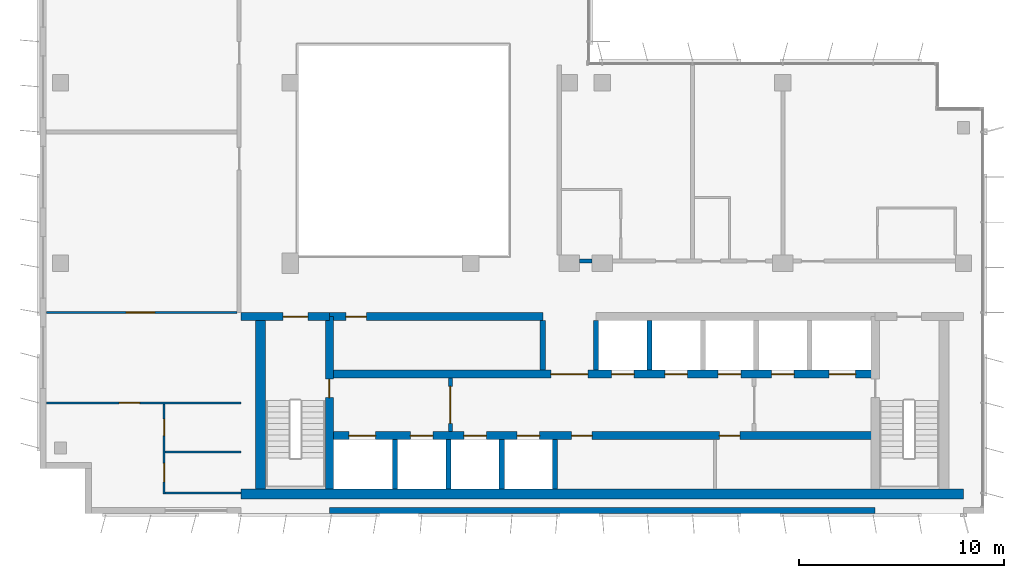
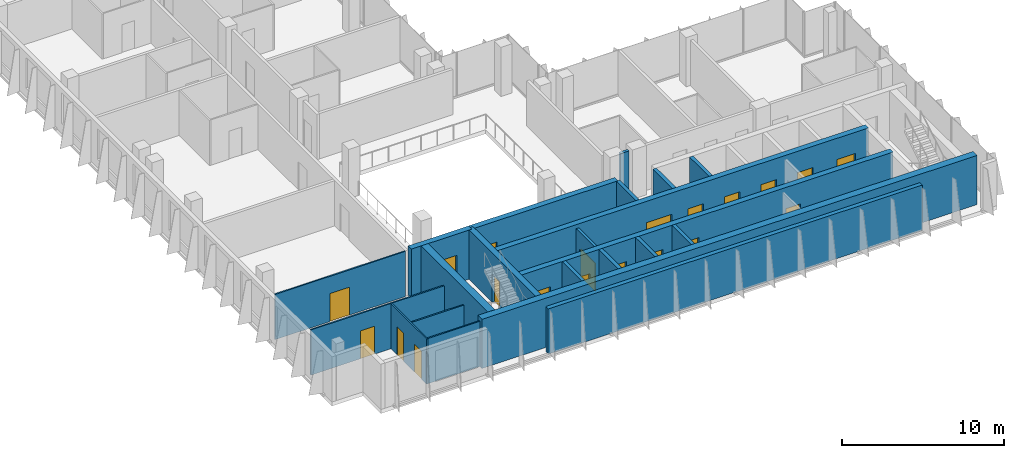
# One storey, part 9 of 15: 22 walls, 20 doors, 20 openings.
"""IFC4 building model written with IfcOpenShell, lengths in metres."""

from ifc_helpers import new_model, si_unit, direction, frame, frame_2d, origin, place, context, subcontext, project, spatial, rectangle, extrude, material, layer, layer_set, type_object, element, fill, save


model = new_model("IFC4")

# Units and contexts
model_context = context("Model", 3, precision=1e-05, world=origin(), true_north=direction((0.0, 1.0)))
body_context = subcontext(model_context, "Body", "Model", "MODEL_VIEW")
ifc_project = project(units=[si_unit("LENGTHUNIT", "METRE"), si_unit("AREAUNIT", "SQUARE_METRE"), si_unit("VOLUMEUNIT", "CUBIC_METRE"), si_unit("PLANEANGLEUNIT", "RADIAN"), si_unit("MASSUNIT", "GRAM", prefix="KILO")], contexts=[model_context])

# Site, building, storey
site_placement = place(None, origin())
site = spatial("IfcSite", under=ifc_project, at=site_placement, CompositionType="ELEMENT")
building_placement = place(site_placement, origin())
building = spatial("IfcBuilding", under=site, at=building_placement, Name="Kemantara Hotel Tower", CompositionType="ELEMENT")
storey_placement = place(building_placement, frame((0.0, 0.0, 261.10009765625)))
storey = spatial("IfcBuildingStorey", under=building, at=storey_placement, Name="L65", CompositionType="ELEMENT", Elevation=261.10009765625)

# Walls
ifc_material_1 = material(Name="Bronze anodised aluminium cladding on insulated steel stud wall", Category="steel")
ifc_layer_1 = layer(ifc_material_1, 0.300048828125)
ifc_layer_set_1 = layer_set([ifc_layer_1], Name="Bronze anodised aluminium cladding on insulated steel stud wall")
wall_type_1 = type_object("IfcWallType", Name="BRONZE METAL-CLAD EXTERNAL WALL 300", PredefinedType="STANDARD", material=ifc_layer_set_1)
wall_1_placement = place(storey_placement, frame((14.10009765625, 0.14990234375, 0.0), z_axis=(0.0, 0.0, 1.0), x_axis=(1.0, 0.0, 0.0)))
element("IfcWall", 1, at=wall_1_placement, inside=storey, type_object=wall_type_1, Name="EXTERNAL WALL L65 T4-R08-2", PredefinedType="STANDARD", context=body_context, shape_type="SweptSolid", body=[
    extrude(rectangle(XDim=26.599853515625, YDim=0.300048828125, at=frame_2d((13.2998046875, 0.0))), origin(), (0.0, 0.0, 1.0), 3.39990234375),
])
ifc_material_2 = material(Name="Concrete fc 50 MPa", Category="concrete")
ifc_layer_2 = layer(ifc_material_2, 0.25)
ifc_layer_set_2 = layer_set([ifc_layer_2], Name="Concrete fc 50 MPa")
wall_type_2 = type_object("IfcWallType", Name="CORE WALL 250 FC50", PredefinedType="SHEAR", material=ifc_layer_set_2)
for number, where, z_axis, x_axis, name in (
    (2, (17.300048828125, 1.199951171875, 0.0), (0.0, 0.0, 1.0), (0.0, 1.0, 0.0), "CORE WALL CW-DS17.3"),
    (3, (19.89990234375, 1.199951171875, 0.0), (0.0, 0.0, 1.0), (0.0, 1.0, 0.0), "CORE WALL CW-DS19.9"),
    (4, (22.5, 1.199951171875, 0.0), (0.0, 0.0, 1.0), (0.0, 1.0, 0.0), "CORE WALL CW-DS22.5"),
    (5, (25.10009765625, 1.199951171875, 0.0), (0.0, 0.0, 1.0), (0.0, 1.0, 0.0), "CORE WALL CW-DS25.1"),
):
    element("IfcWall", number, at=place(storey_placement, frame(where, z_axis=z_axis, x_axis=x_axis)), inside=storey, type_object=wall_type_2, Name=name, PredefinedType="SHEAR", context=body_context, shape_type="SweptSolid", body=[
        extrude(rectangle(XDim=2.400146484375, YDim=0.25, at=frame_2d((1.2001953125, 0.0))), origin(), (0.0, 0.0, 1.0), 3.699951171875),
    ])
for number, where, z_axis, x_axis, name in (
    (6, (24.5, 7.0, 0.0), (0.0, 0.0, 1.0), (0.0, 1.0, 0.0), "CORE WALL CW-DN24.5"),
    (7, (27.10009765625, 7.0, 0.0), (0.0, 0.0, 1.0), (0.0, 1.0, 0.0), "CORE WALL CW-DN27.1"),
    (8, (29.699951171875, 7.0, 0.0), (0.0, 0.0, 1.0), (0.0, 1.0, 0.0), "CORE WALL CW-DN29.7"),
):
    element("IfcWall", number, at=place(storey_placement, frame(where, z_axis=z_axis, x_axis=x_axis)), inside=storey, type_object=wall_type_2, Name=name, PredefinedType="SHEAR", context=body_context, shape_type="SweptSolid", body=[
        extrude(rectangle(XDim=2.39990234375, YDim=0.25, at=frame_2d((1.199951171875, 0.0))), origin(), (0.0, 0.0, 1.0), 3.699951171875),
    ])

# Wall, opening, door
ifc_layer_3 = layer(ifc_material_2, 0.39990234375)
ifc_layer_set_3 = layer_set([ifc_layer_3], Name="Concrete fc 50 MPa")
wall_type_3 = type_object("IfcWallType", Name="CORE WALL 400 FC50", PredefinedType="SHEAR", material=ifc_layer_set_3)
wall_2_placement = place(storey_placement, frame((9.800048828125, 9.60009765625, 0.0), z_axis=(0.0, 0.0, 1.0), x_axis=(1.0, 0.0, 0.0)))
wall_2 = element("IfcWall", 9, at=wall_2_placement, inside=storey, type_object=wall_type_3, Name="CORE WALL CW-N1", PredefinedType="SHEAR", context=body_context, shape_type="SweptSolid", body=[
    extrude(rectangle(XDim=4.300048828125, YDim=0.39990234375, at=frame_2d((2.14990234375, 0.0))), origin(), (0.0, 0.0, 1.0), 3.699951171875),
])
opening_1_placement = place(wall_2_placement, frame((2.050048828125, 0.0, 0.0)))
opening_1 = element("IfcOpeningElement", 10, at=opening_1_placement, cuts=wall_2, Name="Opening C39-ST1-C", PredefinedType="OPENING", context=body_context, shape_type="SweptSolid", body=[
    extrude(rectangle(XDim=1.199951171875, YDim=2.10009765625, at=frame_2d((0.60009765625, 1.050048828125))), frame((0.0, 0.2099609375, 0.0), z_axis=(0.0, -1.0, 0.0), x_axis=(1.0, 0.0, 0.0)), (0.0, 0.0, 1.0), 0.419921875),
])
ifc_material_3 = material(Name="Steel fire door", Category="steel")
door_type_1 = type_object("IfcDoorType", Name="Fire door FD90 1200 x 2100", OperationType="NOTDEFINED", PredefinedType="DOOR", material=ifc_material_3)
door_1_placement = place(opening_1_placement, frame((1.199951171875, 0.0, 0.0), z_axis=(0.0, 0.0, 1.0), x_axis=(-1.0, 0.0, 0.0)))
door_1 = element("IfcDoor", 11, at=door_1_placement, inside=storey, type_object=door_type_1, Name="Stair ST1 door to corridor", OperationType="SINGLE_SWING_LEFT", OverallHeight=2.10009765625, OverallWidth=1.199951171875, PredefinedType="DOOR", context=body_context, shape_type="SweptSolid", body=[
    extrude(rectangle(XDim=1.199951171875, YDim=2.10009765625, at=frame_2d((0.60009765625, 1.050048828125))), frame((0.0, 0.02490234375, 0.0), z_axis=(0.0, -1.0, 0.0), x_axis=(1.0, 0.0, 0.0)), (0.0, 0.0, 1.0), 0.050048828125),
])
fill(opening_1, door_1)

wall_3_placement = place(storey_placement, frame((14.10009765625, 9.60009765625, 0.0), z_axis=(0.0, 0.0, 1.0), x_axis=(1.0, 0.0, 0.0)))
wall_3 = element("IfcWall", 12, at=wall_3_placement, inside=storey, type_object=wall_type_3, Name="CORE WALL CW-NN1", PredefinedType="SHEAR", context=body_context, shape_type="SweptSolid", body=[
    extrude(rectangle(XDim=10.39990234375, YDim=0.39990234375, at=frame_2d((5.199951171875, 0.0))), origin(), (0.0, 0.0, 1.0), 3.699951171875),
])
opening_2_placement = place(wall_3_placement, frame((0.800048828125, 0.0, 0.0)))
opening_2 = element("IfcOpeningElement", 13, at=opening_2_placement, cuts=wall_3, Name="Opening C39-R-NW1", PredefinedType="OPENING", context=body_context, shape_type="SweptSolid", body=[
    extrude(rectangle(XDim=1.0, YDim=2.10009765625, at=frame_2d((0.5, 1.050048828125))), frame((0.0, 0.2099609375, 0.0), z_axis=(0.0, -1.0, 0.0), x_axis=(1.0, 0.0, 0.0)), (0.0, 0.0, 1.0), 0.419921875),
])
door_type_2 = type_object("IfcDoorType", Name="Fire door FD30S 1000 x 2100", OperationType="NOTDEFINED", PredefinedType="DOOR", material=ifc_material_3)
door_2_placement = place(opening_2_placement, frame((1.0, 0.0, 0.0), z_axis=(0.0, 0.0, 1.0), x_axis=(-1.0, 0.0, 0.0)))
door_2 = element("IfcDoor", 14, at=door_2_placement, inside=storey, type_object=door_type_2, Name="Housekeeping Store door", OperationType="SINGLE_SWING_RIGHT", OverallHeight=2.10009765625, OverallWidth=1.0, PredefinedType="DOOR", context=body_context, shape_type="SweptSolid", body=[
    extrude(rectangle(XDim=1.0, YDim=2.10009765625, at=frame_2d((0.5, 1.050048828125))), frame((0.0, 0.02490234375, 0.0), z_axis=(0.0, -1.0, 0.0), x_axis=(1.0, 0.0, 0.0)), (0.0, 0.0, 1.0), 0.050048828125),
])
fill(opening_2, door_2)

# Wall, openings, doors
wall_4_placement = place(storey_placement, frame((14.10009765625, 3.800048828125, 0.0), z_axis=(0.0, 0.0, 1.0), x_axis=(1.0, 0.0, 0.0)))
wall_4 = element("IfcWall", 15, at=wall_4_placement, inside=storey, type_object=wall_type_3, Name="CORE WALL CW-L1", PredefinedType="SHEAR", context=body_context, shape_type="SweptSolid", body=[
    extrude(rectangle(XDim=26.599853515625, YDim=0.39990234375, at=frame_2d((13.2998046875, 0.0))), origin(), (0.0, 0.0, 1.0), 3.699951171875),
])
opening_3_placement = place(wall_4_placement, frame((0.949951171875, 0.0, 0.0)))
opening_3 = element("IfcOpeningElement", 16, at=opening_3_placement, cuts=wall_4, Name="Opening C39-LD-FF1", PredefinedType="OPENING", context=body_context, shape_type="SweptSolid", body=[
    extrude(rectangle(XDim=1.300048828125, YDim=2.10009765625, at=frame_2d((0.64990234375, 1.050048828125))), frame((0.0, 0.2099609375, 0.0), z_axis=(0.0, -1.0, 0.0), x_axis=(1.0, 0.0, 0.0)), (0.0, 0.0, 1.0), 0.419921875),
])
opening_4_placement = place(wall_4_placement, frame((3.949951171875, 0.0, 0.0)))
opening_4 = element("IfcOpeningElement", 17, at=opening_4_placement, cuts=wall_4, Name="Opening C39-LD-SV1", PredefinedType="OPENING", context=body_context, shape_type="SweptSolid", body=[
    extrude(rectangle(XDim=1.10009765625, YDim=2.10009765625, at=frame_2d((0.550048828125, 1.050048828125))), frame((0.0, 0.2099609375, 0.0), z_axis=(0.0, -1.0, 0.0), x_axis=(1.0, 0.0, 0.0)), (0.0, 0.0, 1.0), 0.419921875),
])
opening_5_placement = place(wall_4_placement, frame((6.550048828125, 0.0, 0.0)))
opening_5 = element("IfcOpeningElement", 18, at=opening_5_placement, cuts=wall_4, Name="Opening C39-LD-SV2", PredefinedType="OPENING", context=body_context, shape_type="SweptSolid", body=[
    extrude(rectangle(XDim=1.10009765625, YDim=2.10009765625, at=frame_2d((0.550048828125, 1.050048828125))), frame((0.0, 0.2099609375, 0.0), z_axis=(0.0, -1.0, 0.0), x_axis=(1.0, 0.0, 0.0)), (0.0, 0.0, 1.0), 0.419921875),
])
opening_6_placement = place(wall_4_placement, frame((9.14990234375, 0.0, 0.0)))
opening_6 = element("IfcOpeningElement", 19, at=opening_6_placement, cuts=wall_4, Name="Opening C39-LD-SV3", PredefinedType="OPENING", context=body_context, shape_type="SweptSolid", body=[
    extrude(rectangle(XDim=1.10009765625, YDim=2.10009765625, at=frame_2d((0.550048828125, 1.050048828125))), frame((0.0, 0.2099609375, 0.0), z_axis=(0.0, -1.0, 0.0), x_axis=(1.0, 0.0, 0.0)), (0.0, 0.0, 1.0), 0.419921875),
])
opening_7_placement = place(wall_4_placement, frame((11.800048828125, 0.0, 0.0)))
opening_7 = element("IfcOpeningElement", 20, at=opening_7_placement, cuts=wall_4, Name="Opening C39-R-SM1", PredefinedType="OPENING", context=body_context, shape_type="SweptSolid", body=[
    extrude(rectangle(XDim=1.0, YDim=2.10009765625, at=frame_2d((0.5, 1.050048828125))), frame((0.0, 0.2099609375, 0.0), z_axis=(0.0, -1.0, 0.0), x_axis=(1.0, 0.0, 0.0)), (0.0, 0.0, 1.0), 0.419921875),
])
opening_8_placement = place(wall_4_placement, frame((19.0, 0.0, 0.0)))
opening_8 = element("IfcOpeningElement", 21, at=opening_8_placement, cuts=wall_4, Name="Opening C39-R-SM2", PredefinedType="OPENING", context=body_context, shape_type="SweptSolid", body=[
    extrude(rectangle(XDim=1.0, YDim=2.10009765625, at=frame_2d((0.5, 1.050048828125))), frame((0.0, 0.2099609375, 0.0), z_axis=(0.0, -1.0, 0.0), x_axis=(1.0, 0.0, 0.0)), (0.0, 0.0, 1.0), 0.419921875),
])
door_3_placement = place(opening_7_placement, frame((1.0, 0.0, 0.0), z_axis=(0.0, 0.0, 1.0), x_axis=(-1.0, 0.0, 0.0)))
door_3 = element("IfcDoor", 22, at=door_3_placement, inside=storey, type_object=door_type_2, Name="Staff Lounge door", OperationType="SINGLE_SWING_RIGHT", OverallHeight=2.10009765625, OverallWidth=1.0, PredefinedType="DOOR", context=body_context, shape_type="SweptSolid", body=[
    extrude(rectangle(XDim=1.0, YDim=2.10009765625, at=frame_2d((0.5, 1.050048828125))), frame((0.0, 0.02490234375, 0.0), z_axis=(0.0, -1.0, 0.0), x_axis=(1.0, 0.0, 0.0)), (0.0, 0.0, 1.0), 0.050048828125),
])
fill(opening_7, door_3)
door_4_placement = place(opening_8_placement, frame((1.0, 0.0, 0.0), z_axis=(0.0, 0.0, 1.0), x_axis=(-1.0, 0.0, 0.0)))
door_4 = element("IfcDoor", 23, at=door_4_placement, inside=storey, type_object=door_type_2, Name="Luggage Store door", OperationType="SINGLE_SWING_LEFT", OverallHeight=2.10009765625, OverallWidth=1.0, PredefinedType="DOOR", context=body_context, shape_type="SweptSolid", body=[
    extrude(rectangle(XDim=1.0, YDim=2.10009765625, at=frame_2d((0.5, 1.050048828125))), frame((0.0, 0.02490234375, 0.0), z_axis=(0.0, -1.0, 0.0), x_axis=(1.0, 0.0, 0.0)), (0.0, 0.0, 1.0), 0.050048828125),
])
fill(opening_8, door_4)
ifc_material_4 = material(Name="Stainless steel lift door", Category="steel")
door_type_3 = type_object("IfcDoorType", Name="Lift landing door 1100 x 2100 FD60", OperationType="DOUBLE_DOOR_SLIDING", PredefinedType="DOOR", material=ifc_material_4)
door_5_placement = place(opening_4_placement, origin())
door_5 = element("IfcDoor", 24, at=door_5_placement, inside=storey, type_object=door_type_3, Name="Lift SV1 landing door", OperationType="DOUBLE_DOOR_SLIDING", OverallHeight=2.10009765625, OverallWidth=1.10009765625, PredefinedType="DOOR", context=body_context, shape_type="SweptSolid", body=[
    extrude(rectangle(XDim=1.10009765625, YDim=2.10009765625, at=frame_2d((0.550048828125, 1.050048828125))), frame((0.0, 0.02490234375, 0.0), z_axis=(0.0, -1.0, 0.0), x_axis=(1.0, 0.0, 0.0)), (0.0, 0.0, 1.0), 0.050048828125),
])
fill(opening_4, door_5)
door_6_placement = place(opening_5_placement, origin())
door_6 = element("IfcDoor", 25, at=door_6_placement, inside=storey, type_object=door_type_3, Name="Lift SV2 landing door", OperationType="DOUBLE_DOOR_SLIDING", OverallHeight=2.10009765625, OverallWidth=1.10009765625, PredefinedType="DOOR", context=body_context, shape_type="SweptSolid", body=[
    extrude(rectangle(XDim=1.10009765625, YDim=2.10009765625, at=frame_2d((0.550048828125, 1.050048828125))), frame((0.0, 0.02490234375, 0.0), z_axis=(0.0, -1.0, 0.0), x_axis=(1.0, 0.0, 0.0)), (0.0, 0.0, 1.0), 0.050048828125),
])
fill(opening_5, door_6)
door_7_placement = place(opening_6_placement, origin())
door_7 = element("IfcDoor", 26, at=door_7_placement, inside=storey, type_object=door_type_3, Name="Lift SV3 landing door", OperationType="DOUBLE_DOOR_SLIDING", OverallHeight=2.10009765625, OverallWidth=1.10009765625, PredefinedType="DOOR", context=body_context, shape_type="SweptSolid", body=[
    extrude(rectangle(XDim=1.10009765625, YDim=2.10009765625, at=frame_2d((0.550048828125, 1.050048828125))), frame((0.0, 0.02490234375, 0.0), z_axis=(0.0, -1.0, 0.0), x_axis=(1.0, 0.0, 0.0)), (0.0, 0.0, 1.0), 0.050048828125),
])
fill(opening_6, door_7)
door_type_4 = type_object("IfcDoorType", Name="Lift landing door 1300 x 2100 FD90", OperationType="DOUBLE_DOOR_SLIDING", PredefinedType="DOOR", material=ifc_material_4)
door_8_placement = place(opening_3_placement, origin())
door_8 = element("IfcDoor", 27, at=door_8_placement, inside=storey, type_object=door_type_4, Name="Lift FF1 landing door", OperationType="DOUBLE_DOOR_SLIDING", OverallHeight=2.10009765625, OverallWidth=1.300048828125, PredefinedType="DOOR", context=body_context, shape_type="SweptSolid", body=[
    extrude(rectangle(XDim=1.300048828125, YDim=2.10009765625, at=frame_2d((0.64990234375, 1.050048828125))), frame((0.0, 0.02490234375, 0.0), z_axis=(0.0, -1.0, 0.0), x_axis=(1.0, 0.0, 0.0)), (0.0, 0.0, 1.0), 0.050048828125),
])
fill(opening_3, door_8)

wall_5_placement = place(storey_placement, frame((14.10009765625, 6.800048828125, 0.0), z_axis=(0.0, 0.0, 1.0), x_axis=(1.0, 0.0, 0.0)))
wall_5 = element("IfcWall", 28, at=wall_5_placement, inside=storey, type_object=wall_type_3, Name="CORE WALL CW-L2", PredefinedType="SHEAR", context=body_context, shape_type="SweptSolid", body=[
    extrude(rectangle(XDim=26.599853515625, YDim=0.39990234375, at=frame_2d((13.2998046875, 0.0))), origin(), (0.0, 0.0, 1.0), 3.699951171875),
])
opening_9_placement = place(wall_5_placement, frame((10.800048828125, 0.0, 0.0)))
opening_9 = element("IfcOpeningElement", 29, at=opening_9_placement, cuts=wall_5, Name="Opening C39-VL", PredefinedType="OPENING", context=body_context, shape_type="SweptSolid", body=[
    extrude(rectangle(XDim=1.800048828125, YDim=2.10009765625, at=frame_2d((0.89990234375, 1.050048828125))), frame((0.0, 0.2099609375, 0.0), z_axis=(0.0, -1.0, 0.0), x_axis=(1.0, 0.0, 0.0)), (0.0, 0.0, 1.0), 0.419921875),
])
opening_10_placement = place(wall_5_placement, frame((13.75, 0.0, 0.0)))
opening_10 = element("IfcOpeningElement", 30, at=opening_10_placement, cuts=wall_5, Name="Opening C39-LD-HR1", PredefinedType="OPENING", context=body_context, shape_type="SweptSolid", body=[
    extrude(rectangle(XDim=1.10009765625, YDim=2.10009765625, at=frame_2d((0.550048828125, 1.050048828125))), frame((0.0, 0.2099609375, 0.0), z_axis=(0.0, -1.0, 0.0), x_axis=(1.0, 0.0, 0.0)), (0.0, 0.0, 1.0), 0.419921875),
])
opening_11_placement = place(wall_5_placement, frame((16.35009765625, 0.0, 0.0)))
opening_11 = element("IfcOpeningElement", 31, at=opening_11_placement, cuts=wall_5, Name="Opening C39-LD-HR2", PredefinedType="OPENING", context=body_context, shape_type="SweptSolid", body=[
    extrude(rectangle(XDim=1.10009765625, YDim=2.10009765625, at=frame_2d((0.550048828125, 1.050048828125))), frame((0.0, 0.2099609375, 0.0), z_axis=(0.0, -1.0, 0.0), x_axis=(1.0, 0.0, 0.0)), (0.0, 0.0, 1.0), 0.419921875),
])
opening_12_placement = place(wall_5_placement, frame((18.949951171875, 0.0, 0.0)))
opening_12 = element("IfcOpeningElement", 32, at=opening_12_placement, cuts=wall_5, Name="Opening C39-LD-HR3", PredefinedType="OPENING", context=body_context, shape_type="SweptSolid", body=[
    extrude(rectangle(XDim=1.10009765625, YDim=2.10009765625, at=frame_2d((0.550048828125, 1.050048828125))), frame((0.0, 0.2099609375, 0.0), z_axis=(0.0, -1.0, 0.0), x_axis=(1.0, 0.0, 0.0)), (0.0, 0.0, 1.0), 0.419921875),
])
opening_13_placement = place(wall_5_placement, frame((21.550048828125, 0.0, 0.0)))
opening_13 = element("IfcOpeningElement", 33, at=opening_13_placement, cuts=wall_5, Name="Opening C39-LD-HR4", PredefinedType="OPENING", context=body_context, shape_type="SweptSolid", body=[
    extrude(rectangle(XDim=1.10009765625, YDim=2.10009765625, at=frame_2d((0.550048828125, 1.050048828125))), frame((0.0, 0.2099609375, 0.0), z_axis=(0.0, -1.0, 0.0), x_axis=(1.0, 0.0, 0.0)), (0.0, 0.0, 1.0), 0.419921875),
])
opening_14_placement = place(wall_5_placement, frame((24.35009765625, 0.0, 0.0)))
opening_14 = element("IfcOpeningElement", 34, at=opening_14_placement, cuts=wall_5, Name="Opening C39-LD-FF2", PredefinedType="OPENING", context=body_context, shape_type="SweptSolid", body=[
    extrude(rectangle(XDim=1.300048828125, YDim=2.10009765625, at=frame_2d((0.64990234375, 1.050048828125))), frame((0.0, 0.2099609375, 0.0), z_axis=(0.0, -1.0, 0.0), x_axis=(1.0, 0.0, 0.0)), (0.0, 0.0, 1.0), 0.419921875),
])
door_type_5 = type_object("IfcDoorType", Name="Fire door pair FD60 1800 x 2100", OperationType="DOUBLE_DOOR_SINGLE_SWING", PredefinedType="DOOR", material=ifc_material_3)
door_9_placement = place(opening_9_placement, frame((1.800048828125, 0.0, 0.0), z_axis=(0.0, 0.0, 1.0), x_axis=(-1.0, 0.0, 0.0)))
door_9 = element("IfcDoor", 35, at=door_9_placement, inside=storey, type_object=door_type_5, Name="Lift lobby entry door", OperationType="DOUBLE_DOOR_SINGLE_SWING", OverallHeight=2.10009765625, OverallWidth=1.800048828125, PredefinedType="DOOR", context=body_context, shape_type="SweptSolid", body=[
    extrude(rectangle(XDim=1.800048828125, YDim=2.10009765625, at=frame_2d((0.89990234375, 1.050048828125))), frame((0.0, 0.02490234375, 0.0), z_axis=(0.0, -1.0, 0.0), x_axis=(1.0, 0.0, 0.0)), (0.0, 0.0, 1.0), 0.050048828125),
])
fill(opening_9, door_9)
door_10_placement = place(opening_10_placement, origin())
door_10 = element("IfcDoor", 36, at=door_10_placement, inside=storey, type_object=door_type_3, Name="Lift HR1 landing door", OperationType="DOUBLE_DOOR_SLIDING", OverallHeight=2.10009765625, OverallWidth=1.10009765625, PredefinedType="DOOR", context=body_context, shape_type="SweptSolid", body=[
    extrude(rectangle(XDim=1.10009765625, YDim=2.10009765625, at=frame_2d((0.550048828125, 1.050048828125))), frame((0.0, 0.02490234375, 0.0), z_axis=(0.0, -1.0, 0.0), x_axis=(1.0, 0.0, 0.0)), (0.0, 0.0, 1.0), 0.050048828125),
])
fill(opening_10, door_10)
door_11_placement = place(opening_11_placement, origin())
door_11 = element("IfcDoor", 37, at=door_11_placement, inside=storey, type_object=door_type_3, Name="Lift HR2 landing door", OperationType="DOUBLE_DOOR_SLIDING", OverallHeight=2.10009765625, OverallWidth=1.10009765625, PredefinedType="DOOR", context=body_context, shape_type="SweptSolid", body=[
    extrude(rectangle(XDim=1.10009765625, YDim=2.10009765625, at=frame_2d((0.550048828125, 1.050048828125))), frame((0.0, 0.02490234375, 0.0), z_axis=(0.0, -1.0, 0.0), x_axis=(1.0, 0.0, 0.0)), (0.0, 0.0, 1.0), 0.050048828125),
])
fill(opening_11, door_11)
door_12_placement = place(opening_12_placement, origin())
door_12 = element("IfcDoor", 38, at=door_12_placement, inside=storey, type_object=door_type_3, Name="Lift HR3 landing door", OperationType="DOUBLE_DOOR_SLIDING", OverallHeight=2.10009765625, OverallWidth=1.10009765625, PredefinedType="DOOR", context=body_context, shape_type="SweptSolid", body=[
    extrude(rectangle(XDim=1.10009765625, YDim=2.10009765625, at=frame_2d((0.550048828125, 1.050048828125))), frame((0.0, 0.02490234375, 0.0), z_axis=(0.0, -1.0, 0.0), x_axis=(1.0, 0.0, 0.0)), (0.0, 0.0, 1.0), 0.050048828125),
])
fill(opening_12, door_12)
door_13_placement = place(opening_13_placement, origin())
door_13 = element("IfcDoor", 39, at=door_13_placement, inside=storey, type_object=door_type_3, Name="Lift HR4 landing door", OperationType="DOUBLE_DOOR_SLIDING", OverallHeight=2.10009765625, OverallWidth=1.10009765625, PredefinedType="DOOR", context=body_context, shape_type="SweptSolid", body=[
    extrude(rectangle(XDim=1.10009765625, YDim=2.10009765625, at=frame_2d((0.550048828125, 1.050048828125))), frame((0.0, 0.02490234375, 0.0), z_axis=(0.0, -1.0, 0.0), x_axis=(1.0, 0.0, 0.0)), (0.0, 0.0, 1.0), 0.050048828125),
])
fill(opening_13, door_13)
door_14_placement = place(opening_14_placement, origin())
door_14 = element("IfcDoor", 40, at=door_14_placement, inside=storey, type_object=door_type_4, Name="Lift FF2 landing door", OperationType="DOUBLE_DOOR_SLIDING", OverallHeight=2.10009765625, OverallWidth=1.300048828125, PredefinedType="DOOR", context=body_context, shape_type="SweptSolid", body=[
    extrude(rectangle(XDim=1.300048828125, YDim=2.10009765625, at=frame_2d((0.64990234375, 1.050048828125))), frame((0.0, 0.02490234375, 0.0), z_axis=(0.0, -1.0, 0.0), x_axis=(1.0, 0.0, 0.0)), (0.0, 0.0, 1.0), 0.050048828125),
])
fill(opening_14, door_14)

# Wall, opening, door
wall_6_placement = place(storey_placement, frame((14.10009765625, 1.199951171875, 0.0), z_axis=(0.0, 0.0, 1.0), x_axis=(0.0, 1.0, 0.0)))
wall_6 = element("IfcWall", 41, at=wall_6_placement, inside=storey, type_object=wall_type_3, Name="CORE WALL CW-ST1E", PredefinedType="SHEAR", context=body_context, shape_type="SweptSolid", body=[
    extrude(rectangle(XDim=8.400146484375, YDim=0.39990234375, at=frame_2d((4.2001953125, 0.0))), origin(), (0.0, 0.0, 1.0), 3.699951171875),
])
opening_15_placement = place(wall_6_placement, frame((4.449951171875, 0.0, 0.0)))
opening_15 = element("IfcOpeningElement", 42, at=opening_15_placement, cuts=wall_6, Name="Opening C39-ST1-F", PredefinedType="OPENING", context=body_context, shape_type="SweptSolid", body=[
    extrude(rectangle(XDim=0.89990234375, YDim=2.10009765625, at=frame_2d((0.449951171875, 1.050048828125))), frame((0.0, 0.2099609375, 0.0), z_axis=(0.0, -1.0, 0.0), x_axis=(1.0, 0.0, 0.0)), (0.0, 0.0, 1.0), 0.419921875),
])
door_type_6 = type_object("IfcDoorType", Name="Fire door FD90 900 x 2100", OperationType="NOTDEFINED", PredefinedType="DOOR", material=ifc_material_3)
door_15_placement = place(opening_15_placement, origin())
door_15 = element("IfcDoor", 43, at=door_15_placement, inside=storey, type_object=door_type_6, Name="Stair ST1 door to firefighting lobby", OperationType="SINGLE_SWING_RIGHT", OverallHeight=2.10009765625, OverallWidth=0.89990234375, PredefinedType="DOOR", context=body_context, shape_type="SweptSolid", body=[
    extrude(rectangle(XDim=0.89990234375, YDim=2.10009765625, at=frame_2d((0.449951171875, 1.050048828125))), frame((0.0, 0.02490234375, 0.0), z_axis=(0.0, -1.0, 0.0), x_axis=(1.0, 0.0, 0.0)), (0.0, 0.0, 1.0), 0.050048828125),
])
fill(opening_15, door_15)

# Walls
ifc_layer_4 = layer(ifc_material_2, 0.5)
ifc_layer_set_4 = layer_set([ifc_layer_4], Name="Concrete fc 50 MPa")
wall_type_4 = type_object("IfcWallType", Name="CORE WALL 500 FC50", PredefinedType="SHEAR", material=ifc_layer_set_4)
wall_7_placement = place(storey_placement, frame((9.800048828125, 0.949951171875, 0.0), z_axis=(0.0, 0.0, 1.0), x_axis=(1.0, 0.0, 0.0)))
element("IfcWall", 44, at=wall_7_placement, inside=storey, type_object=wall_type_4, Name="CORE WALL CW-S", PredefinedType="SHEAR", context=body_context, shape_type="SweptSolid", body=[
    extrude(rectangle(XDim=35.199951171875, YDim=0.5, at=frame_2d((17.60009765625, 0.0))), origin(), (0.0, 0.0, 1.0), 3.699951171875),
])
wall_8_placement = place(storey_placement, frame((10.75, 1.199951171875, 0.0), z_axis=(0.0, 0.0, 1.0), x_axis=(0.0, 1.0, 0.0)))
element("IfcWall", 45, at=wall_8_placement, inside=storey, type_object=wall_type_4, Name="CORE WALL CW-W", PredefinedType="SHEAR", context=body_context, shape_type="SweptSolid", body=[
    extrude(rectangle(XDim=8.60009765625, YDim=0.5, at=frame_2d((4.300048828125, 0.0))), origin(), (0.0, 0.0, 1.0), 3.699951171875),
])
ifc_material_5 = material(Name="Gypsum board partition, steel studs and mineral wool, 200 mm", Category="steel")
ifc_layer_5 = layer(ifc_material_5, 0.199951171875)
ifc_layer_set_5 = layer_set([ifc_layer_5], Name="Gypsum board partition, steel studs and mineral wool, 200 mm")
wall_type_5 = type_object("IfcWallType", Name="CORRIDOR WALL 200", PredefinedType="PARTITIONING", material=ifc_layer_set_5)
wall_9_placement = place(storey_placement, frame((26.300048828125, 12.300048828125, 0.0), z_axis=(0.0, 0.0, 1.0), x_axis=(1.0, 0.0, 0.0)))
element("IfcWall", 46, at=wall_9_placement, inside=storey, type_object=wall_type_5, Name="CORRIDOR WALL 200 001", PredefinedType="PARTITIONING", context=body_context, shape_type="SweptSolid", body=[
    extrude(rectangle(XDim=0.599853515625, YDim=0.199951171875, at=frame_2d((0.2998046875, 0.0))), origin(), (0.0, 0.0, 1.0), 3.39990234375),
])

# Wall, opening, door
ifc_material_6 = material(Name="Gypsum board shaft wall")
ifc_layer_6 = layer(ifc_material_6, 0.199951171875)
ifc_layer_set_6 = layer_set([ifc_layer_6], Name="Gypsum board shaft wall")
wall_type_6 = type_object("IfcWallType", Name="Gypsum board shaft wall 200 mm", PredefinedType="PARTITIONING", material=ifc_layer_set_6)
wall_10_placement = place(storey_placement, frame((20.0, 4.0, 0.0), z_axis=(0.0, 0.0, 1.0), x_axis=(0.0, 1.0, 0.0)))
wall_10 = element("IfcWall", 47, at=wall_10_placement, inside=storey, type_object=wall_type_6, Name="Firefighting lobby partition west", PredefinedType="PARTITIONING", context=body_context, shape_type="SweptSolid", body=[
    extrude(rectangle(XDim=2.60009765625, YDim=0.199951171875, at=frame_2d((1.300048828125, 0.0))), origin(), (0.0, 0.0, 1.0), 3.39990234375),
])
opening_16_placement = place(wall_10_placement, frame((0.39990234375, 0.0, 0.0)))
opening_16 = element("IfcOpeningElement", 48, at=opening_16_placement, cuts=wall_10, Name="Opening C39-FFW", PredefinedType="OPENING", context=body_context, shape_type="SweptSolid", body=[
    extrude(rectangle(XDim=1.800048828125, YDim=2.10009765625, at=frame_2d((0.89990234375, 1.050048828125))), frame((0.0, 0.10986328125, 0.0), z_axis=(0.0, -1.0, 0.0), x_axis=(1.0, 0.0, 0.0)), (0.0, 0.0, 1.0), 0.219970703125),
])
door_16_placement = place(opening_16_placement, origin())
door_16 = element("IfcDoor", 49, at=door_16_placement, inside=storey, type_object=door_type_5, Name="Firefighting lobby door west", OperationType="DOUBLE_DOOR_SINGLE_SWING", OverallHeight=2.10009765625, OverallWidth=1.800048828125, PredefinedType="DOOR", context=body_context, shape_type="SweptSolid", body=[
    extrude(rectangle(XDim=1.800048828125, YDim=2.10009765625, at=frame_2d((0.89990234375, 1.050048828125))), frame((0.0, 0.02490234375, 0.0), z_axis=(0.0, -1.0, 0.0), x_axis=(1.0, 0.0, 0.0)), (0.0, 0.0, 1.0), 0.050048828125),
])
fill(opening_16, door_16)

# Wall, openings, doors
ifc_material_7 = material(Name="Gypsum board partition on steel studs, 100 mm", Category="steel")
ifc_layer_7 = layer(ifc_material_7, 0.10009765625)
ifc_layer_set_7 = layer_set([ifc_layer_7], Name="Gypsum board partition on steel studs, 100 mm")
wall_type_7 = type_object("IfcWallType", Name="ROOM PARTITION 100", PredefinedType="PARTITIONING", material=ifc_layer_set_7)
wall_11_placement = place(storey_placement, frame((6.050048828125, 5.35009765625, 0.0), z_axis=(0.0, 0.0, 1.0), x_axis=(0.0, -1.0, 0.0)))
wall_11 = element("IfcWall", 50, at=wall_11_placement, inside=storey, type_object=wall_type_7, Name="ROOM PARTITION 100 029", PredefinedType="PARTITIONING", context=body_context, shape_type="SweptSolid", body=[
    extrude(rectangle(XDim=4.400146484375, YDim=0.10009765625, at=frame_2d((2.2001953125, 0.0))), origin(), (0.0, 0.0, 1.0), 3.39990234375),
])
opening_17_placement = place(wall_11_placement, frame((2.89990234375, 0.0, 0.0)))
opening_17 = element("IfcOpeningElement", 51, at=opening_17_placement, cuts=wall_11, Name="Opening F32-010", PredefinedType="OPENING", context=body_context, shape_type="SweptSolid", body=[
    extrude(rectangle(XDim=0.89990234375, YDim=2.10009765625, at=frame_2d((0.449951171875, 1.050048828125))), frame((0.0, 0.06005859375, 0.0), z_axis=(0.0, -1.0, 0.0), x_axis=(1.0, 0.0, 0.0)), (0.0, 0.0, 1.0), 0.1201171875),
])
opening_18_placement = place(wall_11_placement, frame((0.75, 0.0, 0.0)))
opening_18 = element("IfcOpeningElement", 52, at=opening_18_placement, cuts=wall_11, Name="Opening F32-011", PredefinedType="OPENING", context=body_context, shape_type="SweptSolid", body=[
    extrude(rectangle(XDim=0.800048828125, YDim=2.10009765625, at=frame_2d((0.39990234375, 1.050048828125))), frame((0.0, 0.06005859375, 0.0), z_axis=(0.0, -1.0, 0.0), x_axis=(1.0, 0.0, 0.0)), (0.0, 0.0, 1.0), 0.1201171875),
])
ifc_material_8 = material(Name="Hardwood veneer door leaf with steel frame", Category="steel")
door_type_7 = type_object("IfcDoorType", Name="BATHROOM DOOR 900 X 2100", OperationType="NOTDEFINED", PredefinedType="DOOR", material=ifc_material_8)
door_17_placement = place(opening_17_placement, origin())
door_17 = element("IfcDoor", 53, at=door_17_placement, inside=storey, type_object=door_type_7, Name="BATHROOM DOOR F32-010", OperationType="SINGLE_SWING_LEFT", OverallHeight=2.10009765625, OverallWidth=0.89990234375, PredefinedType="DOOR", context=body_context, shape_type="SweptSolid", body=[
    extrude(rectangle(XDim=0.89990234375, YDim=2.10009765625, at=frame_2d((0.449951171875, 1.050048828125))), frame((0.0, 0.02490234375, 0.0), z_axis=(0.0, -1.0, 0.0), x_axis=(1.0, 0.0, 0.0)), (0.0, 0.0, 1.0), 0.050048828125),
])
fill(opening_17, door_17)
door_type_8 = type_object("IfcDoorType", Name="WARDROBE DOOR 800 X 2100", OperationType="NOTDEFINED", PredefinedType="DOOR", material=ifc_material_8)
door_18_placement = place(opening_18_placement, origin())
door_18 = element("IfcDoor", 54, at=door_18_placement, inside=storey, type_object=door_type_8, Name="WARDROBE DOOR F32-011", OperationType="SINGLE_SWING_LEFT", OverallHeight=2.10009765625, OverallWidth=0.800048828125, PredefinedType="DOOR", context=body_context, shape_type="SweptSolid", body=[
    extrude(rectangle(XDim=0.800048828125, YDim=2.10009765625, at=frame_2d((0.39990234375, 1.050048828125))), frame((0.0, 0.02490234375, 0.0), z_axis=(0.0, -1.0, 0.0), x_axis=(1.0, 0.0, 0.0)), (0.0, 0.0, 1.0), 0.050048828125),
])
fill(opening_18, door_18)

# Wall, opening, door
wall_12_placement = place(storey_placement, frame((9.60009765625, 9.800048828125, 0.0), z_axis=(0.0, 0.0, 1.0), x_axis=(-1.0, 0.0, 0.0)))
wall_12 = element("IfcWall", 55, at=wall_12_placement, inside=storey, type_object=wall_type_7, Name="ROOM PARTITION 100 030", PredefinedType="PARTITIONING", context=body_context, shape_type="SweptSolid", body=[
    extrude(rectangle(XDim=9.2900390625, YDim=0.10009765625, at=frame_2d((4.64501953125, 0.0))), origin(), (0.0, 0.0, 1.0), 3.39990234375),
])
opening_19_placement = place(wall_12_placement, frame((4.0, 0.0, 0.0)))
opening_19 = element("IfcOpeningElement", 56, at=opening_19_placement, cuts=wall_12, Name="Opening F32-008", PredefinedType="OPENING", context=body_context, shape_type="SweptSolid", body=[
    extrude(rectangle(XDim=1.39990234375, YDim=2.10009765625, at=frame_2d((0.699951171875, 1.050048828125))), frame((0.0, 0.06005859375, 0.0), z_axis=(0.0, -1.0, 0.0), x_axis=(1.0, 0.0, 0.0)), (0.0, 0.0, 1.0), 0.1201171875),
])
door_type_9 = type_object("IfcDoorType", Name="INTERNAL DOOR 1400 X 2100", OperationType="NOTDEFINED", PredefinedType="DOOR", material=ifc_material_8)
door_19_placement = place(opening_19_placement, origin())
door_19 = element("IfcDoor", 57, at=door_19_placement, inside=storey, type_object=door_type_9, Name="INTERNAL DOOR F32-008", OperationType="DOUBLE_DOOR_SINGLE_SWING", OverallHeight=2.10009765625, OverallWidth=1.39990234375, PredefinedType="DOOR", context=body_context, shape_type="SweptSolid", body=[
    extrude(rectangle(XDim=1.39990234375, YDim=2.10009765625, at=frame_2d((0.699951171875, 1.050048828125))), frame((0.0, 0.02490234375, 0.0), z_axis=(0.0, -1.0, 0.0), x_axis=(1.0, 0.0, 0.0)), (0.0, 0.0, 1.0), 0.050048828125),
])
fill(opening_19, door_19)

wall_13_placement = place(storey_placement, frame((9.7998046875, 5.39990234375, 0.0), z_axis=(0.0, 0.0, 1.0), x_axis=(-1.0, 0.0, 0.0)))
wall_13 = element("IfcWall", 58, at=wall_13_placement, inside=storey, type_object=wall_type_7, Name="ROOM PARTITION 100 031", PredefinedType="PARTITIONING", context=body_context, shape_type="SweptSolid", body=[
    extrude(rectangle(XDim=9.48974609375, YDim=0.10009765625, at=frame_2d((4.744873046875, 0.0))), origin(), (0.0, 0.0, 1.0), 3.39990234375),
])
opening_20_placement = place(wall_13_placement, frame((4.949951171875, 0.0, 0.0)))
opening_20 = element("IfcOpeningElement", 59, at=opening_20_placement, cuts=wall_13, Name="Opening F32-009", PredefinedType="OPENING", context=body_context, shape_type="SweptSolid", body=[
    extrude(rectangle(XDim=1.0, YDim=2.10009765625, at=frame_2d((0.5, 1.050048828125))), frame((0.0, 0.06005859375, 0.0), z_axis=(0.0, -1.0, 0.0), x_axis=(1.0, 0.0, 0.0)), (0.0, 0.0, 1.0), 0.1201171875),
])
door_type_10 = type_object("IfcDoorType", Name="INTERNAL DOOR 1000 X 2100", OperationType="NOTDEFINED", PredefinedType="DOOR", material=ifc_material_8)
door_20_placement = place(opening_20_placement, origin())
door_20 = element("IfcDoor", 60, at=door_20_placement, inside=storey, type_object=door_type_10, Name="INTERNAL DOOR F32-009", OperationType="SINGLE_SWING_LEFT", OverallHeight=2.10009765625, OverallWidth=1.0, PredefinedType="DOOR", context=body_context, shape_type="SweptSolid", body=[
    extrude(rectangle(XDim=1.0, YDim=2.10009765625, at=frame_2d((0.5, 1.050048828125))), frame((0.0, 0.02490234375, 0.0), z_axis=(0.0, -1.0, 0.0), x_axis=(1.0, 0.0, 0.0)), (0.0, 0.0, 1.0), 0.050048828125),
])
fill(opening_20, door_20)

# Walls
for number, where, z_axis, x_axis, name in (
    (61, (6.10009765625, 1.0, 0.0), (0.0, 0.0, 1.0), (1.0, 0.0, 0.0), "ROOM PARTITION 100 032"),
    (62, (6.10009765625, 3.0, 0.0), (0.0, 0.0, 1.0), (1.0, 0.0, 0.0), "ROOM PARTITION 100 033"),
):
    element("IfcWall", number, at=place(storey_placement, frame(where, z_axis=z_axis, x_axis=x_axis)), inside=storey, type_object=wall_type_7, Name=name, PredefinedType="PARTITIONING", context=body_context, shape_type="SweptSolid", body=[
        extrude(rectangle(XDim=3.69970703125, YDim=0.10009765625, at=frame_2d((1.849853515625, 0.0))), origin(), (0.0, 0.0, 1.0), 3.39990234375),
    ])

save(model, "model.ifc")
